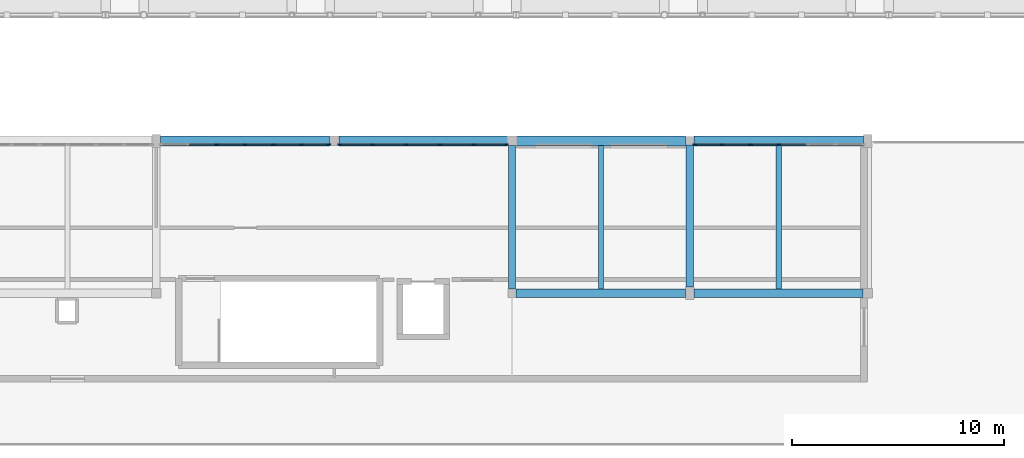
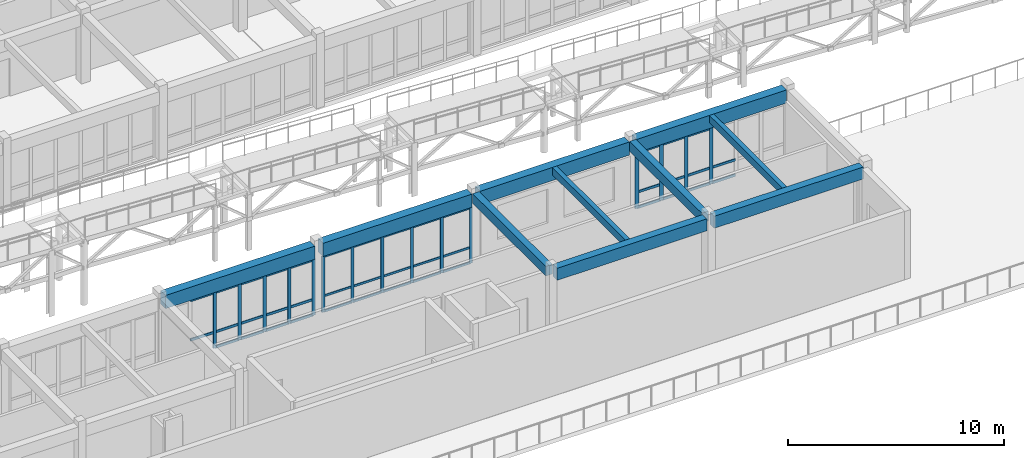
# One storey, part 23 of 89: 55 members, 10 beams, 3 elements without a shape of their own.
"""IFC4 building model written with IfcOpenShell, lengths in metres."""

from ifc_helpers import new_model, si_unit, direction, frame, origin, origin_2d, place, context, subcontext, project, spatial, rectangle, extrude, material, material_profile, profile_set, type_object, element, aggregate, save


model = new_model("IFC4")

# Units and contexts
model_context = context("Model", 3, precision=1e-05, world=origin(), true_north=direction((0.0, 1.0)))
body_context = subcontext(model_context, "Body", "Model", "MODEL_VIEW")
ifc_project = project(units=[si_unit("LENGTHUNIT", "METRE"), si_unit("AREAUNIT", "SQUARE_METRE"), si_unit("VOLUMEUNIT", "CUBIC_METRE"), si_unit("PLANEANGLEUNIT", "RADIAN"), si_unit("MASSUNIT", "GRAM", prefix="KILO")], contexts=[model_context])

# Site, building, storey
site_placement = place(None, origin())
site = spatial("IfcSite", under=ifc_project, at=site_placement, CompositionType="ELEMENT")
building_placement = place(site_placement, origin())
building = spatial("IfcBuilding", under=site, at=building_placement, Name="Malvenik Polytechnic", CompositionType="ELEMENT")
storey_placement = place(building_placement, frame((0.0, 0.0, 13.5)))
storey = spatial("IfcBuildingStorey", under=building, at=storey_placement, Name="L03", CompositionType="ELEMENT", Elevation=13.5)

# Curtain wall, members
ifc_material_1 = material(Name="Anodised aluminium 6060-T6", Category="aluminium")
curtain_wall_type = type_object("IfcCurtainWallType", Name="ARC-CW-CW-02", PredefinedType="NOTDEFINED", material=ifc_material_1)
curtain_wall_1_placement = place(storey_placement, origin())
curtain_wall_1 = element("IfcCurtainWall", 1, at=curtain_wall_1_placement, inside=storey, type_object=curtain_wall_type, Name="Unitised Curtain Wall CW-02 L03 #209", PredefinedType="NOTDEFINED")
ifc_material_2 = material(Name="Anodised aluminium", Category="aluminium")
ifc_material_profile_1 = material_profile(ifc_material_2, rectangle(XDim=0.06005859375, YDim=0.159912109375, at=origin_2d()), Name="ALU MULLION 60x160")
ifc_profile_set_1 = profile_set([ifc_material_profile_1], Name="Anodised aluminium")
member_type_1 = type_object("IfcMemberType", Name="ARC-CWM-160", PredefinedType="MULLION", material=ifc_profile_set_1)
member_1_placement = place(storey_placement, frame((42.2529296875, 64.6298828125, 0.0), z_axis=(0.0, 0.0, 1.0), x_axis=(0.0, 1.0, 0.0)))
member_1 = element("IfcMember", 2, at=member_1_placement, type_object=member_type_1, Name="CW-02 mullion 1", PredefinedType="MULLION", context=body_context, shape_type="SweptSolid", body=[
    extrude(rectangle(XDim=0.06005859375, YDim=0.159912109375, at=origin_2d()), origin(), (0.0, 0.0, 1.0), 3.159912109375),
])
member_2_placement = place(storey_placement, frame((43.813720703125, 64.6298828125, 0.0), z_axis=(0.0, 0.0, 1.0), x_axis=(0.0, 1.0, 0.0)))
member_2 = element("IfcMember", 3, at=member_2_placement, type_object=member_type_1, Name="CW-02 mullion 2", PredefinedType="MULLION", context=body_context, shape_type="SweptSolid", body=[
    extrude(rectangle(XDim=0.06005859375, YDim=0.159912109375, at=origin_2d()), origin(), (0.0, 0.0, 1.0), 3.159912109375),
])
member_3_placement = place(storey_placement, frame((45.404541015625, 64.6298828125, 0.0), z_axis=(0.0, 0.0, 1.0), x_axis=(0.0, 1.0, 0.0)))
member_3 = element("IfcMember", 4, at=member_3_placement, type_object=member_type_1, Name="CW-02 mullion 3", PredefinedType="MULLION", context=body_context, shape_type="SweptSolid", body=[
    extrude(rectangle(XDim=0.06005859375, YDim=0.159912109375, at=origin_2d()), origin(), (0.0, 0.0, 1.0), 3.159912109375),
])
member_4_placement = place(storey_placement, frame((46.995361328125, 64.6298828125, 0.0), z_axis=(0.0, 0.0, 1.0), x_axis=(0.0, 1.0, 0.0)))
member_4 = element("IfcMember", 5, at=member_4_placement, type_object=member_type_1, Name="CW-02 mullion 4", PredefinedType="MULLION", context=body_context, shape_type="SweptSolid", body=[
    extrude(rectangle(XDim=0.06005859375, YDim=0.159912109375, at=origin_2d()), origin(), (0.0, 0.0, 1.0), 3.159912109375),
])
member_5_placement = place(storey_placement, frame((48.586181640625, 64.6298828125, 0.0), z_axis=(0.0, 0.0, 1.0), x_axis=(0.0, 1.0, 0.0)))
member_5 = element("IfcMember", 6, at=member_5_placement, type_object=member_type_1, Name="CW-02 mullion 5", PredefinedType="MULLION", context=body_context, shape_type="SweptSolid", body=[
    extrude(rectangle(XDim=0.06005859375, YDim=0.159912109375, at=origin_2d()), origin(), (0.0, 0.0, 1.0), 3.159912109375),
])
member_6_placement = place(storey_placement, frame((50.14697265625, 64.6298828125, 0.0), z_axis=(0.0, 0.0, 1.0), x_axis=(0.0, 1.0, 0.0)))
member_6 = element("IfcMember", 7, at=member_6_placement, type_object=member_type_1, Name="CW-02 mullion 6", PredefinedType="MULLION", context=body_context, shape_type="SweptSolid", body=[
    extrude(rectangle(XDim=0.06005859375, YDim=0.159912109375, at=origin_2d()), origin(), (0.0, 0.0, 1.0), 3.159912109375),
])

curtain_wall_2_placement = place(storey_placement, origin())
curtain_wall_2 = element("IfcCurtainWall", 8, at=curtain_wall_2_placement, inside=storey, type_object=curtain_wall_type, Name="Unitised Curtain Wall CW-02 L03 #208", PredefinedType="NOTDEFINED")
ifc_material_profile_2 = material_profile(ifc_material_2, rectangle(XDim=0.06005859375, YDim=0.179931640625, at=origin_2d()), Name="ALU MULLION 60x180")
ifc_profile_set_2 = profile_set([ifc_material_profile_2], Name="Anodised aluminium")
member_type_2 = type_object("IfcMemberType", Name="ARC-CWM-180", PredefinedType="MULLION", material=ifc_profile_set_2)
member_7_placement = place(storey_placement, frame((36.457763671875, 64.6298828125, 0.0), z_axis=(0.0, 0.0, 1.0), x_axis=(0.0, 1.0, 0.0)))
member_7 = element("IfcMember", 9, at=member_7_placement, type_object=member_type_2, Name="CW-02 mullion 3", PredefinedType="MULLION", context=body_context, shape_type="SweptSolid", body=[
    extrude(rectangle(XDim=0.06005859375, YDim=0.179931640625, at=origin_2d()), origin(), (0.0, 0.0, 1.0), 3.159912109375),
])
member_8_placement = place(storey_placement, frame((37.78759765625, 64.6298828125, 0.0), z_axis=(0.0, 0.0, 1.0), x_axis=(0.0, 1.0, 0.0)))
member_8 = element("IfcMember", 10, at=member_8_placement, type_object=member_type_2, Name="CW-02 mullion 4", PredefinedType="MULLION", context=body_context, shape_type="SweptSolid", body=[
    extrude(rectangle(XDim=0.06005859375, YDim=0.179931640625, at=origin_2d()), origin(), (0.0, 0.0, 1.0), 3.159912109375),
])
member_9_placement = place(storey_placement, frame((39.117431640625, 64.6298828125, 0.0), z_axis=(0.0, 0.0, 1.0), x_axis=(0.0, 1.0, 0.0)))
member_9 = element("IfcMember", 11, at=member_9_placement, type_object=member_type_2, Name="CW-02 mullion 5", PredefinedType="MULLION", context=body_context, shape_type="SweptSolid", body=[
    extrude(rectangle(XDim=0.06005859375, YDim=0.179931640625, at=origin_2d()), origin(), (0.0, 0.0, 1.0), 3.159912109375),
])
member_10_placement = place(storey_placement, frame((40.447265625, 64.6298828125, 0.0), z_axis=(0.0, 0.0, 1.0), x_axis=(0.0, 1.0, 0.0)))
member_10 = element("IfcMember", 12, at=member_10_placement, type_object=member_type_2, Name="CW-02 mullion 6", PredefinedType="MULLION", context=body_context, shape_type="SweptSolid", body=[
    extrude(rectangle(XDim=0.06005859375, YDim=0.179931640625, at=origin_2d()), origin(), (0.0, 0.0, 1.0), 3.159912109375),
])
member_11_placement = place(storey_placement, frame((41.7470703125, 64.6298828125, 0.0), z_axis=(0.0, 0.0, 1.0), x_axis=(0.0, 1.0, 0.0)))
member_11 = element("IfcMember", 13, at=member_11_placement, type_object=member_type_2, Name="CW-02 mullion 7", PredefinedType="MULLION", context=body_context, shape_type="SweptSolid", body=[
    extrude(rectangle(XDim=0.06005859375, YDim=0.179931640625, at=origin_2d()), origin(), (0.0, 0.0, 1.0), 3.159912109375),
])

curtain_wall_3_placement = place(storey_placement, origin())
curtain_wall_3 = element("IfcCurtainWall", 14, at=curtain_wall_3_placement, inside=storey, type_object=curtain_wall_type, Name="Unitised Curtain Wall CW-02 L03 #210", PredefinedType="NOTDEFINED")
ifc_material_profile_3 = material_profile(ifc_material_2, rectangle(XDim=0.06005859375, YDim=0.199951171875, at=origin_2d()), Name="ALU MULLION 60x200")
ifc_profile_set_3 = profile_set([ifc_material_profile_3], Name="Anodised aluminium")
member_type_3 = type_object("IfcMemberType", Name="ARC-CWM-200", PredefinedType="MULLION", material=ifc_profile_set_3)
member_12_placement = place(storey_placement, frame((59.028076171875, 64.6298828125, 0.0), z_axis=(0.0, 0.0, 1.0), x_axis=(0.0, 1.0, 0.0)))
member_12 = element("IfcMember", 15, at=member_12_placement, type_object=member_type_3, Name="CW-02 mullion 1", PredefinedType="MULLION", context=body_context, shape_type="SweptSolid", body=[
    extrude(rectangle(XDim=0.06005859375, YDim=0.199951171875, at=origin_2d()), origin(), (0.0, 0.0, 1.0), 3.159912109375),
])
member_13_placement = place(storey_placement, frame((60.33203125, 64.6298828125, 0.0), z_axis=(0.0, 0.0, 1.0), x_axis=(0.0, 1.0, 0.0)))
member_13 = element("IfcMember", 16, at=member_13_placement, type_object=member_type_3, Name="CW-02 mullion 2", PredefinedType="MULLION", context=body_context, shape_type="SweptSolid", body=[
    extrude(rectangle(XDim=0.06005859375, YDim=0.199951171875, at=origin_2d()), origin(), (0.0, 0.0, 1.0), 3.159912109375),
])
member_14_placement = place(storey_placement, frame((61.666015625, 64.6298828125, 0.0), z_axis=(0.0, 0.0, 1.0), x_axis=(0.0, 1.0, 0.0)))
member_14 = element("IfcMember", 17, at=member_14_placement, type_object=member_type_3, Name="CW-02 mullion 3", PredefinedType="MULLION", context=body_context, shape_type="SweptSolid", body=[
    extrude(rectangle(XDim=0.06005859375, YDim=0.199951171875, at=origin_2d()), origin(), (0.0, 0.0, 1.0), 3.159912109375),
])
member_15_placement = place(storey_placement, frame((63.0, 64.6298828125, 0.0), z_axis=(0.0, 0.0, 1.0), x_axis=(0.0, 1.0, 0.0)))
member_15 = element("IfcMember", 18, at=member_15_placement, type_object=member_type_3, Name="CW-02 mullion 4", PredefinedType="MULLION", context=body_context, shape_type="SweptSolid", body=[
    extrude(rectangle(XDim=0.06005859375, YDim=0.199951171875, at=origin_2d()), origin(), (0.0, 0.0, 1.0), 3.159912109375),
])

# Member
ifc_material_profile_4 = material_profile(ifc_material_2, rectangle(XDim=0.06005859375, YDim=0.1201171875, at=origin_2d()), Name="ALU TRANSOM 60x120")
ifc_profile_set_4 = profile_set([ifc_material_profile_4], Name="Anodised aluminium")
member_type_4 = type_object("IfcMemberType", Name="ARC-CWT-120", PredefinedType="USERDEFINED", material=ifc_profile_set_4)
member_16_placement = place(storey_placement, frame((42.282958984375, 64.6298828125, 0.030029296875), z_axis=(1.0, 0.0, 0.0), x_axis=(0.0, 1.0, 0.0)))
member_16 = element("IfcMember", 19, at=member_16_placement, type_object=member_type_4, Name="CW-02 transom 1.1", ObjectType="TRANSOM", PredefinedType="USERDEFINED", context=body_context, shape_type="SweptSolid", body=[
    extrude(rectangle(XDim=0.06005859375, YDim=0.1201171875, at=origin_2d()), origin(), (0.0, 0.0, 1.0), 1.500732421875),
])

member_17_placement = place(storey_placement, frame((42.282958984375, 64.6298828125, 0.89990234375), z_axis=(1.0, 0.0, 0.0), x_axis=(0.0, 1.0, 0.0)))
member_17 = element("IfcMember", 20, at=member_17_placement, type_object=member_type_4, Name="CW-02 transom 1.2", ObjectType="TRANSOM", PredefinedType="USERDEFINED", context=body_context, shape_type="SweptSolid", body=[
    extrude(rectangle(XDim=0.06005859375, YDim=0.1201171875, at=origin_2d()), origin(), (0.0, 0.0, 1.0), 1.500732421875),
])

member_18_placement = place(storey_placement, frame((42.282958984375, 64.6298828125, 3.1298828125), z_axis=(1.0, 0.0, 0.0), x_axis=(0.0, 1.0, 0.0)))
member_18 = element("IfcMember", 21, at=member_18_placement, type_object=member_type_4, Name="CW-02 transom 1.3", ObjectType="TRANSOM", PredefinedType="USERDEFINED", context=body_context, shape_type="SweptSolid", body=[
    extrude(rectangle(XDim=0.06005859375, YDim=0.1201171875, at=origin_2d()), origin(), (0.0, 0.0, 1.0), 1.500732421875),
])

member_19_placement = place(storey_placement, frame((43.84375, 64.6298828125, 0.030029296875), z_axis=(1.0, 0.0, 0.0), x_axis=(0.0, 1.0, 0.0)))
member_19 = element("IfcMember", 22, at=member_19_placement, type_object=member_type_4, Name="CW-02 transom 2.1", ObjectType="TRANSOM", PredefinedType="USERDEFINED", context=body_context, shape_type="SweptSolid", body=[
    extrude(rectangle(XDim=0.06005859375, YDim=0.1201171875, at=origin_2d()), origin(), (0.0, 0.0, 1.0), 1.53076171875),
])

member_20_placement = place(storey_placement, frame((43.84375, 64.6298828125, 0.89990234375), z_axis=(1.0, 0.0, 0.0), x_axis=(0.0, 1.0, 0.0)))
member_20 = element("IfcMember", 23, at=member_20_placement, type_object=member_type_4, Name="CW-02 transom 2.2", ObjectType="TRANSOM", PredefinedType="USERDEFINED", context=body_context, shape_type="SweptSolid", body=[
    extrude(rectangle(XDim=0.06005859375, YDim=0.1201171875, at=origin_2d()), origin(), (0.0, 0.0, 1.0), 1.53076171875),
])

member_21_placement = place(storey_placement, frame((43.84375, 64.6298828125, 3.1298828125), z_axis=(1.0, 0.0, 0.0), x_axis=(0.0, 1.0, 0.0)))
member_21 = element("IfcMember", 24, at=member_21_placement, type_object=member_type_4, Name="CW-02 transom 2.3", ObjectType="TRANSOM", PredefinedType="USERDEFINED", context=body_context, shape_type="SweptSolid", body=[
    extrude(rectangle(XDim=0.06005859375, YDim=0.1201171875, at=origin_2d()), origin(), (0.0, 0.0, 1.0), 1.53076171875),
])

member_22_placement = place(storey_placement, frame((45.4345703125, 64.6298828125, 0.030029296875), z_axis=(1.0, 0.0, 0.0), x_axis=(0.0, 1.0, 0.0)))
member_22 = element("IfcMember", 25, at=member_22_placement, type_object=member_type_4, Name="CW-02 transom 3.1", ObjectType="TRANSOM", PredefinedType="USERDEFINED", context=body_context, shape_type="SweptSolid", body=[
    extrude(rectangle(XDim=0.06005859375, YDim=0.1201171875, at=origin_2d()), origin(), (0.0, 0.0, 1.0), 1.53076171875),
])

member_23_placement = place(storey_placement, frame((45.4345703125, 64.6298828125, 0.89990234375), z_axis=(1.0, 0.0, 0.0), x_axis=(0.0, 1.0, 0.0)))
member_23 = element("IfcMember", 26, at=member_23_placement, type_object=member_type_4, Name="CW-02 transom 3.2", ObjectType="TRANSOM", PredefinedType="USERDEFINED", context=body_context, shape_type="SweptSolid", body=[
    extrude(rectangle(XDim=0.06005859375, YDim=0.1201171875, at=origin_2d()), origin(), (0.0, 0.0, 1.0), 1.53076171875),
])

member_24_placement = place(storey_placement, frame((45.4345703125, 64.6298828125, 3.1298828125), z_axis=(1.0, 0.0, 0.0), x_axis=(0.0, 1.0, 0.0)))
member_24 = element("IfcMember", 27, at=member_24_placement, type_object=member_type_4, Name="CW-02 transom 3.3", ObjectType="TRANSOM", PredefinedType="USERDEFINED", context=body_context, shape_type="SweptSolid", body=[
    extrude(rectangle(XDim=0.06005859375, YDim=0.1201171875, at=origin_2d()), origin(), (0.0, 0.0, 1.0), 1.53076171875),
])

member_25_placement = place(storey_placement, frame((47.025390625, 64.6298828125, 0.030029296875), z_axis=(1.0, 0.0, 0.0), x_axis=(0.0, 1.0, 0.0)))
member_25 = element("IfcMember", 28, at=member_25_placement, type_object=member_type_4, Name="CW-02 transom 4.1", ObjectType="TRANSOM", PredefinedType="USERDEFINED", context=body_context, shape_type="SweptSolid", body=[
    extrude(rectangle(XDim=0.06005859375, YDim=0.1201171875, at=origin_2d()), origin(), (0.0, 0.0, 1.0), 1.53076171875),
])

member_26_placement = place(storey_placement, frame((47.025390625, 64.6298828125, 0.89990234375), z_axis=(1.0, 0.0, 0.0), x_axis=(0.0, 1.0, 0.0)))
member_26 = element("IfcMember", 29, at=member_26_placement, type_object=member_type_4, Name="CW-02 transom 4.2", ObjectType="TRANSOM", PredefinedType="USERDEFINED", context=body_context, shape_type="SweptSolid", body=[
    extrude(rectangle(XDim=0.06005859375, YDim=0.1201171875, at=origin_2d()), origin(), (0.0, 0.0, 1.0), 1.53076171875),
])

member_27_placement = place(storey_placement, frame((47.025390625, 64.6298828125, 3.1298828125), z_axis=(1.0, 0.0, 0.0), x_axis=(0.0, 1.0, 0.0)))
member_27 = element("IfcMember", 30, at=member_27_placement, type_object=member_type_4, Name="CW-02 transom 4.3", ObjectType="TRANSOM", PredefinedType="USERDEFINED", context=body_context, shape_type="SweptSolid", body=[
    extrude(rectangle(XDim=0.06005859375, YDim=0.1201171875, at=origin_2d()), origin(), (0.0, 0.0, 1.0), 1.53076171875),
])

member_28_placement = place(storey_placement, frame((48.6162109375, 64.6298828125, 0.030029296875), z_axis=(1.0, 0.0, 0.0), x_axis=(0.0, 1.0, 0.0)))
member_28 = element("IfcMember", 31, at=member_28_placement, type_object=member_type_4, Name="CW-02 transom 5.1", ObjectType="TRANSOM", PredefinedType="USERDEFINED", context=body_context, shape_type="SweptSolid", body=[
    extrude(rectangle(XDim=0.06005859375, YDim=0.1201171875, at=origin_2d()), origin(), (0.0, 0.0, 1.0), 1.500732421875),
])

member_29_placement = place(storey_placement, frame((48.6162109375, 64.6298828125, 0.89990234375), z_axis=(1.0, 0.0, 0.0), x_axis=(0.0, 1.0, 0.0)))
member_29 = element("IfcMember", 32, at=member_29_placement, type_object=member_type_4, Name="CW-02 transom 5.2", ObjectType="TRANSOM", PredefinedType="USERDEFINED", context=body_context, shape_type="SweptSolid", body=[
    extrude(rectangle(XDim=0.06005859375, YDim=0.1201171875, at=origin_2d()), origin(), (0.0, 0.0, 1.0), 1.500732421875),
])

member_30_placement = place(storey_placement, frame((48.6162109375, 64.6298828125, 3.1298828125), z_axis=(1.0, 0.0, 0.0), x_axis=(0.0, 1.0, 0.0)))
member_30 = element("IfcMember", 33, at=member_30_placement, type_object=member_type_4, Name="CW-02 transom 5.3", ObjectType="TRANSOM", PredefinedType="USERDEFINED", context=body_context, shape_type="SweptSolid", body=[
    extrude(rectangle(XDim=0.06005859375, YDim=0.1201171875, at=origin_2d()), origin(), (0.0, 0.0, 1.0), 1.500732421875),
])

aggregate(curtain_wall_1, [member_1, member_2, member_3, member_4, member_5, member_6, member_16, member_17, member_18, member_19, member_20, member_21, member_22, member_23, member_24, member_25, member_26, member_27, member_28, member_29, member_30])

ifc_material_profile_5 = material_profile(ifc_material_2, rectangle(XDim=0.06005859375, YDim=0.139892578125, at=origin_2d()), Name="ALU TRANSOM 60x140")
ifc_profile_set_5 = profile_set([ifc_material_profile_5], Name="Anodised aluminium")
member_type_5 = type_object("IfcMemberType", Name="ARC-CWT-140", PredefinedType="USERDEFINED", material=ifc_profile_set_5)
member_31_placement = place(storey_placement, frame((35.15771484375, 64.6298828125, 0.89990234375), z_axis=(1.0, 0.0, 0.0), x_axis=(0.0, 1.0, 0.0)))
member_31 = element("IfcMember", 34, at=member_31_placement, type_object=member_type_5, Name="CW-02 transom 2.2", ObjectType="TRANSOM", PredefinedType="USERDEFINED", context=body_context, shape_type="SweptSolid", body=[
    extrude(rectangle(XDim=0.06005859375, YDim=0.139892578125, at=origin_2d()), origin(), (0.0, 0.0, 1.0), 1.27001953125),
])

member_32_placement = place(storey_placement, frame((35.15771484375, 64.6298828125, 3.1298828125), z_axis=(1.0, 0.0, 0.0), x_axis=(0.0, 1.0, 0.0)))
member_32 = element("IfcMember", 35, at=member_32_placement, type_object=member_type_5, Name="CW-02 transom 2.3", ObjectType="TRANSOM", PredefinedType="USERDEFINED", context=body_context, shape_type="SweptSolid", body=[
    extrude(rectangle(XDim=0.06005859375, YDim=0.139892578125, at=origin_2d()), origin(), (0.0, 0.0, 1.0), 1.27001953125),
])

member_33_placement = place(storey_placement, frame((36.487548828125, 64.6298828125, 0.030029296875), z_axis=(1.0, 0.0, 0.0), x_axis=(0.0, 1.0, 0.0)))
member_33 = element("IfcMember", 36, at=member_33_placement, type_object=member_type_5, Name="CW-02 transom 3.1", ObjectType="TRANSOM", PredefinedType="USERDEFINED", context=body_context, shape_type="SweptSolid", body=[
    extrude(rectangle(XDim=0.06005859375, YDim=0.139892578125, at=origin_2d()), origin(), (0.0, 0.0, 1.0), 1.27001953125),
])

member_34_placement = place(storey_placement, frame((36.487548828125, 64.6298828125, 0.89990234375), z_axis=(1.0, 0.0, 0.0), x_axis=(0.0, 1.0, 0.0)))
member_34 = element("IfcMember", 37, at=member_34_placement, type_object=member_type_5, Name="CW-02 transom 3.2", ObjectType="TRANSOM", PredefinedType="USERDEFINED", context=body_context, shape_type="SweptSolid", body=[
    extrude(rectangle(XDim=0.06005859375, YDim=0.139892578125, at=origin_2d()), origin(), (0.0, 0.0, 1.0), 1.27001953125),
])

member_35_placement = place(storey_placement, frame((36.487548828125, 64.6298828125, 3.1298828125), z_axis=(1.0, 0.0, 0.0), x_axis=(0.0, 1.0, 0.0)))
member_35 = element("IfcMember", 38, at=member_35_placement, type_object=member_type_5, Name="CW-02 transom 3.3", ObjectType="TRANSOM", PredefinedType="USERDEFINED", context=body_context, shape_type="SweptSolid", body=[
    extrude(rectangle(XDim=0.06005859375, YDim=0.139892578125, at=origin_2d()), origin(), (0.0, 0.0, 1.0), 1.27001953125),
])

member_36_placement = place(storey_placement, frame((37.8173828125, 64.6298828125, 0.030029296875), z_axis=(1.0, 0.0, 0.0), x_axis=(0.0, 1.0, 0.0)))
member_36 = element("IfcMember", 39, at=member_36_placement, type_object=member_type_5, Name="CW-02 transom 4.1", ObjectType="TRANSOM", PredefinedType="USERDEFINED", context=body_context, shape_type="SweptSolid", body=[
    extrude(rectangle(XDim=0.06005859375, YDim=0.139892578125, at=origin_2d()), origin(), (0.0, 0.0, 1.0), 1.27001953125),
])

member_37_placement = place(storey_placement, frame((37.8173828125, 64.6298828125, 0.89990234375), z_axis=(1.0, 0.0, 0.0), x_axis=(0.0, 1.0, 0.0)))
member_37 = element("IfcMember", 40, at=member_37_placement, type_object=member_type_5, Name="CW-02 transom 4.2", ObjectType="TRANSOM", PredefinedType="USERDEFINED", context=body_context, shape_type="SweptSolid", body=[
    extrude(rectangle(XDim=0.06005859375, YDim=0.139892578125, at=origin_2d()), origin(), (0.0, 0.0, 1.0), 1.27001953125),
])

member_38_placement = place(storey_placement, frame((37.8173828125, 64.6298828125, 3.1298828125), z_axis=(1.0, 0.0, 0.0), x_axis=(0.0, 1.0, 0.0)))
member_38 = element("IfcMember", 41, at=member_38_placement, type_object=member_type_5, Name="CW-02 transom 4.3", ObjectType="TRANSOM", PredefinedType="USERDEFINED", context=body_context, shape_type="SweptSolid", body=[
    extrude(rectangle(XDim=0.06005859375, YDim=0.139892578125, at=origin_2d()), origin(), (0.0, 0.0, 1.0), 1.27001953125),
])

member_39_placement = place(storey_placement, frame((39.147216796875, 64.6298828125, 0.030029296875), z_axis=(1.0, 0.0, 0.0), x_axis=(0.0, 1.0, 0.0)))
member_39 = element("IfcMember", 42, at=member_39_placement, type_object=member_type_5, Name="CW-02 transom 5.1", ObjectType="TRANSOM", PredefinedType="USERDEFINED", context=body_context, shape_type="SweptSolid", body=[
    extrude(rectangle(XDim=0.06005859375, YDim=0.139892578125, at=origin_2d()), origin(), (0.0, 0.0, 1.0), 1.27001953125),
])

member_40_placement = place(storey_placement, frame((39.147216796875, 64.6298828125, 0.89990234375), z_axis=(1.0, 0.0, 0.0), x_axis=(0.0, 1.0, 0.0)))
member_40 = element("IfcMember", 43, at=member_40_placement, type_object=member_type_5, Name="CW-02 transom 5.2", ObjectType="TRANSOM", PredefinedType="USERDEFINED", context=body_context, shape_type="SweptSolid", body=[
    extrude(rectangle(XDim=0.06005859375, YDim=0.139892578125, at=origin_2d()), origin(), (0.0, 0.0, 1.0), 1.27001953125),
])

member_41_placement = place(storey_placement, frame((39.147216796875, 64.6298828125, 3.1298828125), z_axis=(1.0, 0.0, 0.0), x_axis=(0.0, 1.0, 0.0)))
member_41 = element("IfcMember", 44, at=member_41_placement, type_object=member_type_5, Name="CW-02 transom 5.3", ObjectType="TRANSOM", PredefinedType="USERDEFINED", context=body_context, shape_type="SweptSolid", body=[
    extrude(rectangle(XDim=0.06005859375, YDim=0.139892578125, at=origin_2d()), origin(), (0.0, 0.0, 1.0), 1.27001953125),
])

member_42_placement = place(storey_placement, frame((40.47705078125, 64.6298828125, 0.030029296875), z_axis=(1.0, 0.0, 0.0), x_axis=(0.0, 1.0, 0.0)))
member_42 = element("IfcMember", 45, at=member_42_placement, type_object=member_type_5, Name="CW-02 transom 6.1", ObjectType="TRANSOM", PredefinedType="USERDEFINED", context=body_context, shape_type="SweptSolid", body=[
    extrude(rectangle(XDim=0.06005859375, YDim=0.139892578125, at=origin_2d()), origin(), (0.0, 0.0, 1.0), 1.239990234375),
])

member_43_placement = place(storey_placement, frame((40.47705078125, 64.6298828125, 0.89990234375), z_axis=(1.0, 0.0, 0.0), x_axis=(0.0, 1.0, 0.0)))
member_43 = element("IfcMember", 46, at=member_43_placement, type_object=member_type_5, Name="CW-02 transom 6.2", ObjectType="TRANSOM", PredefinedType="USERDEFINED", context=body_context, shape_type="SweptSolid", body=[
    extrude(rectangle(XDim=0.06005859375, YDim=0.139892578125, at=origin_2d()), origin(), (0.0, 0.0, 1.0), 1.239990234375),
])

member_44_placement = place(storey_placement, frame((40.47705078125, 64.6298828125, 3.1298828125), z_axis=(1.0, 0.0, 0.0), x_axis=(0.0, 1.0, 0.0)))
member_44 = element("IfcMember", 47, at=member_44_placement, type_object=member_type_5, Name="CW-02 transom 6.3", ObjectType="TRANSOM", PredefinedType="USERDEFINED", context=body_context, shape_type="SweptSolid", body=[
    extrude(rectangle(XDim=0.06005859375, YDim=0.139892578125, at=origin_2d()), origin(), (0.0, 0.0, 1.0), 1.239990234375),
])

aggregate(curtain_wall_2, [member_7, member_8, member_9, member_10, member_11, member_31, member_32, member_33, member_34, member_35, member_36, member_37, member_38, member_39, member_40, member_41, member_42, member_43, member_44])

member_45_placement = place(storey_placement, frame((59.05810546875, 64.6298828125, 0.030029296875), z_axis=(1.0, 0.0, 0.0), x_axis=(0.0, 1.0, 0.0)))
member_45 = element("IfcMember", 48, at=member_45_placement, type_object=member_type_5, Name="CW-02 transom 1.1", ObjectType="TRANSOM", PredefinedType="USERDEFINED", context=body_context, shape_type="SweptSolid", body=[
    extrude(rectangle(XDim=0.06005859375, YDim=0.139892578125, at=origin_2d()), origin(), (0.0, 0.0, 1.0), 1.243896484375),
])

member_46_placement = place(storey_placement, frame((59.05810546875, 64.6298828125, 0.89990234375), z_axis=(1.0, 0.0, 0.0), x_axis=(0.0, 1.0, 0.0)))
member_46 = element("IfcMember", 49, at=member_46_placement, type_object=member_type_5, Name="CW-02 transom 1.2", ObjectType="TRANSOM", PredefinedType="USERDEFINED", context=body_context, shape_type="SweptSolid", body=[
    extrude(rectangle(XDim=0.06005859375, YDim=0.139892578125, at=origin_2d()), origin(), (0.0, 0.0, 1.0), 1.243896484375),
])

member_47_placement = place(storey_placement, frame((59.05810546875, 64.6298828125, 3.1298828125), z_axis=(1.0, 0.0, 0.0), x_axis=(0.0, 1.0, 0.0)))
member_47 = element("IfcMember", 50, at=member_47_placement, type_object=member_type_5, Name="CW-02 transom 1.3", ObjectType="TRANSOM", PredefinedType="USERDEFINED", context=body_context, shape_type="SweptSolid", body=[
    extrude(rectangle(XDim=0.06005859375, YDim=0.139892578125, at=origin_2d()), origin(), (0.0, 0.0, 1.0), 1.243896484375),
])

member_48_placement = place(storey_placement, frame((60.362060546875, 64.6298828125, 0.030029296875), z_axis=(1.0, 0.0, 0.0), x_axis=(0.0, 1.0, 0.0)))
member_48 = element("IfcMember", 51, at=member_48_placement, type_object=member_type_5, Name="CW-02 transom 2.1", ObjectType="TRANSOM", PredefinedType="USERDEFINED", context=body_context, shape_type="SweptSolid", body=[
    extrude(rectangle(XDim=0.06005859375, YDim=0.139892578125, at=origin_2d()), origin(), (0.0, 0.0, 1.0), 1.27392578125),
])

member_49_placement = place(storey_placement, frame((60.362060546875, 64.6298828125, 0.89990234375), z_axis=(1.0, 0.0, 0.0), x_axis=(0.0, 1.0, 0.0)))
member_49 = element("IfcMember", 52, at=member_49_placement, type_object=member_type_5, Name="CW-02 transom 2.2", ObjectType="TRANSOM", PredefinedType="USERDEFINED", context=body_context, shape_type="SweptSolid", body=[
    extrude(rectangle(XDim=0.06005859375, YDim=0.139892578125, at=origin_2d()), origin(), (0.0, 0.0, 1.0), 1.27392578125),
])

member_50_placement = place(storey_placement, frame((60.362060546875, 64.6298828125, 3.1298828125), z_axis=(1.0, 0.0, 0.0), x_axis=(0.0, 1.0, 0.0)))
member_50 = element("IfcMember", 53, at=member_50_placement, type_object=member_type_5, Name="CW-02 transom 2.3", ObjectType="TRANSOM", PredefinedType="USERDEFINED", context=body_context, shape_type="SweptSolid", body=[
    extrude(rectangle(XDim=0.06005859375, YDim=0.139892578125, at=origin_2d()), origin(), (0.0, 0.0, 1.0), 1.27392578125),
])

member_51_placement = place(storey_placement, frame((61.696044921875, 64.6298828125, 0.030029296875), z_axis=(1.0, 0.0, 0.0), x_axis=(0.0, 1.0, 0.0)))
member_51 = element("IfcMember", 54, at=member_51_placement, type_object=member_type_5, Name="CW-02 transom 3.1", ObjectType="TRANSOM", PredefinedType="USERDEFINED", context=body_context, shape_type="SweptSolid", body=[
    extrude(rectangle(XDim=0.06005859375, YDim=0.139892578125, at=origin_2d()), origin(), (0.0, 0.0, 1.0), 1.27392578125),
])

member_52_placement = place(storey_placement, frame((61.696044921875, 64.6298828125, 0.89990234375), z_axis=(1.0, 0.0, 0.0), x_axis=(0.0, 1.0, 0.0)))
member_52 = element("IfcMember", 55, at=member_52_placement, type_object=member_type_5, Name="CW-02 transom 3.2", ObjectType="TRANSOM", PredefinedType="USERDEFINED", context=body_context, shape_type="SweptSolid", body=[
    extrude(rectangle(XDim=0.06005859375, YDim=0.139892578125, at=origin_2d()), origin(), (0.0, 0.0, 1.0), 1.27392578125),
])

member_53_placement = place(storey_placement, frame((61.696044921875, 64.6298828125, 3.1298828125), z_axis=(1.0, 0.0, 0.0), x_axis=(0.0, 1.0, 0.0)))
member_53 = element("IfcMember", 56, at=member_53_placement, type_object=member_type_5, Name="CW-02 transom 3.3", ObjectType="TRANSOM", PredefinedType="USERDEFINED", context=body_context, shape_type="SweptSolid", body=[
    extrude(rectangle(XDim=0.06005859375, YDim=0.139892578125, at=origin_2d()), origin(), (0.0, 0.0, 1.0), 1.27392578125),
])

member_54_placement = place(storey_placement, frame((63.030029296875, 64.6298828125, 0.030029296875), z_axis=(1.0, 0.0, 0.0), x_axis=(0.0, 1.0, 0.0)))
member_54 = element("IfcMember", 57, at=member_54_placement, type_object=member_type_5, Name="CW-02 transom 4.1", ObjectType="TRANSOM", PredefinedType="USERDEFINED", context=body_context, shape_type="SweptSolid", body=[
    extrude(rectangle(XDim=0.06005859375, YDim=0.139892578125, at=origin_2d()), origin(), (0.0, 0.0, 1.0), 1.27392578125),
])

member_55_placement = place(storey_placement, frame((63.030029296875, 64.6298828125, 0.89990234375), z_axis=(1.0, 0.0, 0.0), x_axis=(0.0, 1.0, 0.0)))
member_55 = element("IfcMember", 58, at=member_55_placement, type_object=member_type_5, Name="CW-02 transom 4.2", ObjectType="TRANSOM", PredefinedType="USERDEFINED", context=body_context, shape_type="SweptSolid", body=[
    extrude(rectangle(XDim=0.06005859375, YDim=0.139892578125, at=origin_2d()), origin(), (0.0, 0.0, 1.0), 1.27392578125),
])

aggregate(curtain_wall_3, [member_12, member_13, member_14, member_15, member_45, member_46, member_47, member_48, member_49, member_50, member_51, member_52, member_53, member_54, member_55])

# Beams
ifc_material_3 = material(Name="Concrete C35/45", Category="concrete")
ifc_material_profile_6 = material_profile(ifc_material_3, rectangle(XDim=0.39990234375, YDim=0.679931640625, at=origin_2d()), Name="RC BM 400x680")
ifc_profile_set_6 = profile_set([ifc_material_profile_6], Name="Concrete C35/45")
beam_type_1 = type_object("IfcBeamType", Name="STR-BM-B-05", PredefinedType="BEAM", material=ifc_profile_set_6)
beam_1_placement = place(storey_placement, frame((50.597900390625, 57.60009765625, 3.580078125), z_axis=(1.0, 0.0, 0.0), x_axis=(0.0, 1.0, 0.0)))
element("IfcBeam", 59, at=beam_1_placement, inside=storey, type_object=beam_type_1, Name="Primary Beam B-05 L03 #1625", PredefinedType="BEAM", context=body_context, shape_type="SweptSolid", body=[
    extrude(rectangle(XDim=0.39990234375, YDim=0.679931640625, at=origin_2d()), origin(), (0.0, 0.0, 1.0), 8.004150390625),
])
beam_2_placement = place(storey_placement, frame((58.998046875, 57.60009765625, 3.580078125), z_axis=(1.0, 0.0, 0.0), x_axis=(0.0, 1.0, 0.0)))
element("IfcBeam", 60, at=beam_2_placement, inside=storey, type_object=beam_type_1, Name="Primary Beam B-05 L03 #1626", PredefinedType="BEAM", context=body_context, shape_type="SweptSolid", body=[
    extrude(rectangle(XDim=0.39990234375, YDim=0.679931640625, at=origin_2d()), origin(), (0.0, 0.0, 1.0), 7.97900390625),
])
ifc_material_profile_7 = material_profile(ifc_material_3, rectangle(XDim=0.35009765625, YDim=0.550048828125, at=origin_2d()), Name="RC BM 350x550")
ifc_profile_set_7 = profile_set([ifc_material_profile_7], Name="Concrete C35/45")
beam_type_2 = type_object("IfcBeamType", Name="STR-BM-B-08", PredefinedType="BEAM", material=ifc_profile_set_7)
beam_3_placement = place(storey_placement, frame((50.39990234375, 57.798095703125, 3.64501953125), z_axis=(0.0, 1.0, 0.0), x_axis=(-1.0, 0.0, 0.0)))
element("IfcBeam", 61, at=beam_3_placement, inside=storey, type_object=beam_type_2, Name="Transverse Beam B-08 L03 #1743", PredefinedType="BEAM", context=body_context, shape_type="SweptSolid", body=[
    extrude(rectangle(XDim=0.35009765625, YDim=0.550048828125, at=origin_2d()), origin(), (0.0, 0.0, 1.0), 6.77880859375),
])
beam_4_placement = place(storey_placement, frame((58.800048828125, 57.89794921875, 3.64501953125), z_axis=(0.0, 1.0, 0.0), x_axis=(-1.0, 0.0, 0.0)))
element("IfcBeam", 62, at=beam_4_placement, inside=storey, type_object=beam_type_2, Name="Transverse Beam B-08 L03 #1748", PredefinedType="BEAM", context=body_context, shape_type="SweptSolid", body=[
    extrude(rectangle(XDim=0.35009765625, YDim=0.550048828125, at=origin_2d()), origin(), (0.0, 0.0, 1.0), 6.7041015625),
])
ifc_material_4 = material(Name="Concrete C30/37", Category="concrete")
ifc_material_profile_8 = material_profile(ifc_material_4, rectangle(XDim=0.239990234375, YDim=0.419921875, at=origin_2d()), Name="RC JST 240x420")
ifc_profile_set_8 = profile_set([ifc_material_profile_8], Name="Concrete C30/37")
beam_type_3 = type_object("IfcBeamType", Name="STR-BM-J-03", PredefinedType="JOIST", material=ifc_profile_set_8)
for number, where, z_axis, x_axis, name in (
    (63, (54.60009765625, 57.798095703125, 3.7099609375), (0.0, 1.0, 0.0), (-1.0, 0.0, 0.0), "Secondary Rib Joist J-03 L03 #1800"),
    (64, (63.0, 57.798095703125, 3.7099609375), (0.0, 1.0, 0.0), (-1.0, 0.0, 0.0), "Secondary Rib Joist J-03 L03 #1803"),
):
    element("IfcBeam", number, at=place(storey_placement, frame(where, z_axis=z_axis, x_axis=x_axis)), inside=storey, type_object=beam_type_3, Name=name, PredefinedType="JOIST", context=body_context, shape_type="SweptSolid", body=[
        extrude(rectangle(XDim=0.239990234375, YDim=0.419921875, at=origin_2d()), origin(), (0.0, 0.0, 1.0), 6.77392578125),
    ])
ifc_material_5 = material(Name="Precast concrete C40/50", Category="concrete")
ifc_material_profile_9 = material_profile(ifc_material_5, rectangle(XDim=0.4599609375, YDim=0.75, at=origin_2d()), Name="PC SPN 460x750")
ifc_profile_set_9 = profile_set([ifc_material_profile_9], Name="Precast concrete C40/50")
beam_type_4 = type_object("IfcBeamType", Name="STR-BM-SP-02", PredefinedType="SPANDREL", material=ifc_profile_set_9)
beam_5_placement = place(storey_placement, frame((33.798095703125, 64.800048828125, 3.544921875), z_axis=(1.0, 0.0, 0.0), x_axis=(0.0, 1.0, 0.0)))
element("IfcBeam", 65, at=beam_5_placement, inside=storey, type_object=beam_type_4, Name="Primary Beam SP-02 L03 #1630", PredefinedType="SPANDREL", context=body_context, shape_type="SweptSolid", body=[
    extrude(rectangle(XDim=0.4599609375, YDim=0.75, at=origin_2d()), origin(), (0.0, 0.0, 1.0), 7.97900390625),
])
beam_6_placement = place(storey_placement, frame((42.222900390625, 64.800048828125, 3.544921875), z_axis=(1.0, 0.0, 0.0), x_axis=(0.0, 1.0, 0.0)))
element("IfcBeam", 66, at=beam_6_placement, inside=storey, type_object=beam_type_4, Name="Primary Beam SP-02 L03 #1631", PredefinedType="SPANDREL", context=body_context, shape_type="SweptSolid", body=[
    extrude(rectangle(XDim=0.4599609375, YDim=0.75, at=origin_2d()), origin(), (0.0, 0.0, 1.0), 7.9541015625),
])
beam_7_placement = place(storey_placement, frame((50.623046875, 64.800048828125, 3.544921875), z_axis=(1.0, 0.0, 0.0), x_axis=(0.0, 1.0, 0.0)))
element("IfcBeam", 67, at=beam_7_placement, inside=storey, type_object=beam_type_4, Name="Primary Beam SP-02 L03 #1632", PredefinedType="SPANDREL", context=body_context, shape_type="SweptSolid", body=[
    extrude(rectangle(XDim=0.4599609375, YDim=0.75, at=origin_2d()), origin(), (0.0, 0.0, 1.0), 7.97900390625),
])
beam_8_placement = place(storey_placement, frame((58.998046875, 64.800048828125, 3.544921875), z_axis=(1.0, 0.0, 0.0), x_axis=(0.0, 1.0, 0.0)))
element("IfcBeam", 68, at=beam_8_placement, inside=storey, type_object=beam_type_4, Name="Primary Beam SP-02 L03 #1633", PredefinedType="SPANDREL", context=body_context, shape_type="SweptSolid", body=[
    extrude(rectangle(XDim=0.4599609375, YDim=0.75, at=origin_2d()), origin(), (0.0, 0.0, 1.0), 8.00390625),
])

save(model, "model.ifc")
